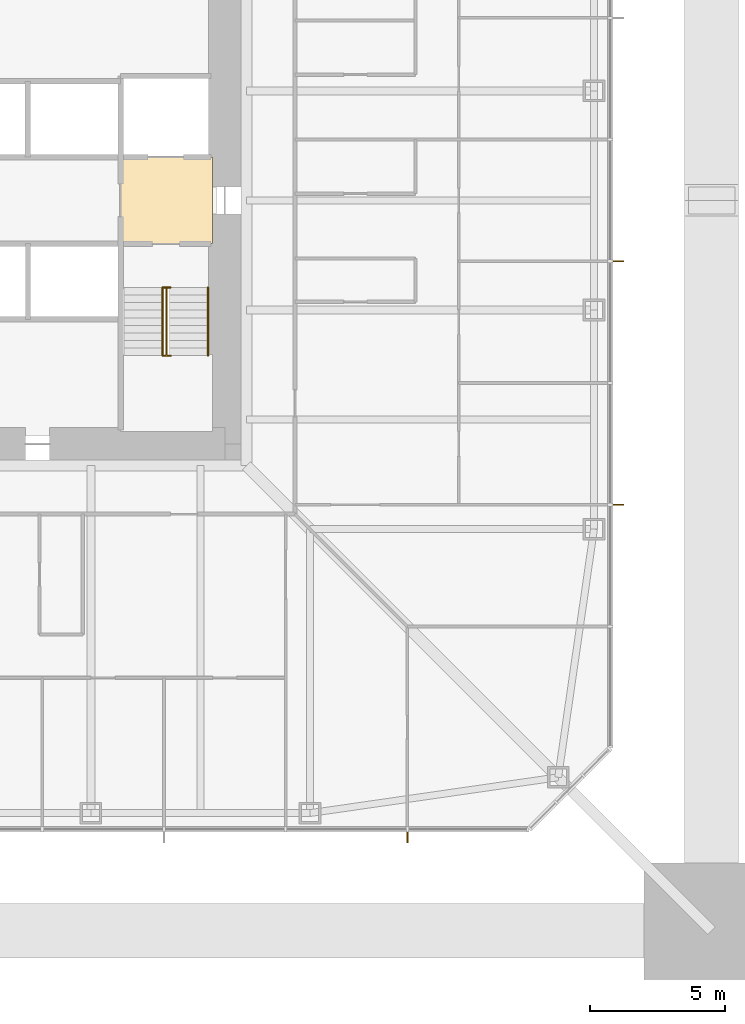
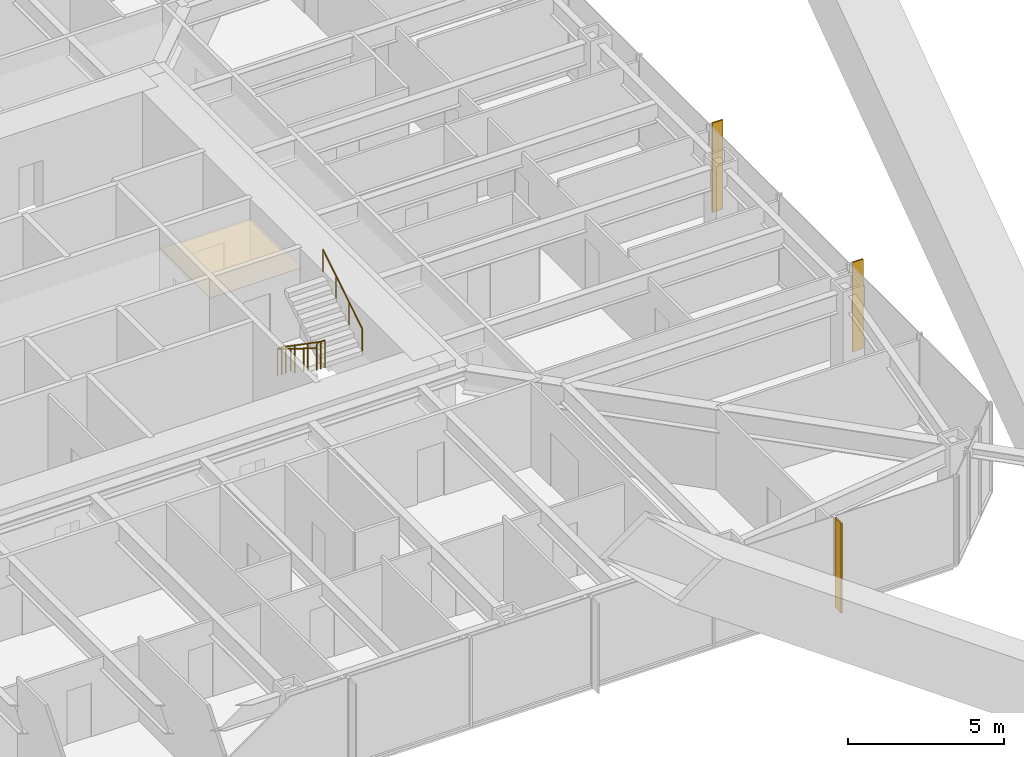
# One storey, part 26 of 28: 3 railings, 3 shading devices, 1 covering.
"""IFC4 building model written with IfcOpenShell, lengths in metres."""

from ifc_helpers import new_model, si_unit, direction, frame, origin, origin_2d, place, context, subcontext, project, spatial, polyline, rectangle, circle, outline, extrude, material, layer, layer_set, constituent, constituent_set, type_object, element, save


model = new_model("IFC4")

# Units and contexts
model_context = context("Model", 3, precision=1e-05, world=origin(), true_north=direction((0.0, 1.0)))
body_context = subcontext(model_context, "Body", "Model", "MODEL_VIEW")
ifc_project = project(units=[si_unit("LENGTHUNIT", "METRE"), si_unit("AREAUNIT", "SQUARE_METRE"), si_unit("VOLUMEUNIT", "CUBIC_METRE"), si_unit("PLANEANGLEUNIT", "RADIAN"), si_unit("MASSUNIT", "GRAM", prefix="KILO")], contexts=[model_context])

# Site, building, storey
site_placement = place(None, origin())
site = spatial("IfcSite", under=ifc_project, at=site_placement, CompositionType="ELEMENT")
building_placement = place(site_placement, origin())
building = spatial("IfcBuilding", under=site, at=building_placement, Name="Iwan Alto Co-Living Towers", CompositionType="ELEMENT")
storey_placement = place(building_placement, frame((0.0, 0.0, 43.0)))
storey = spatial("IfcBuildingStorey", under=building, at=storey_placement, Name="L11", CompositionType="ELEMENT", Elevation=43.0)

# Covering
ifc_material_1 = material(Name="Mineral fibre acoustic tiles on steel grid", Category="steel")
ifc_layer_1 = layer(ifc_material_1, 0.02001953125)
ifc_layer_set_1 = layer_set([ifc_layer_1], Name="ACOUSTIC TILE CEILING 20")
covering_type = type_object("IfcCoveringType", Name="ACOUSTIC TILE CEILING 20", PredefinedType="CEILING", material=ifc_layer_set_1)
covering_placement = place(storey_placement, frame((0.0, 0.0, 2.60009765625)))
element("IfcCovering", 1, at=covering_placement, inside=storey, type_object=covering_type, Name="Ceiling Firefighting lobby L11", PredefinedType="CEILING", context=body_context, shape_type="SweptSolid", body=[
    extrude(outline(polyline([(5.14990234375, -1.60009765625), (5.14990234375, 1.60009765625), (8.550048828125, 1.60009765625), (8.550048828125, -1.60009765625), (5.14990234375, -1.60009765625)])), origin(), (0.0, 0.0, 1.0), 0.02001953125),
])

# Shading devices
ifc_material_2 = material(Name="Aluminium 6063-T6 bronze anodised", Category="aluminium")
ifc_layer_2 = layer(ifc_material_2, 0.050048828125)
ifc_layer_set_2 = layer_set([ifc_layer_2], Name="BRONZE FIN 50X400")
shading_device_type = type_object("IfcShadingDeviceType", Name="BRONZE FIN 50X400", PredefinedType="USERDEFINED", material=ifc_layer_set_2)
for number, where, z_axis, x_axis, name in (
    (2, (15.75, -23.550048828125, 0.0), (0.0, 0.0, 1.0), (1.0, 0.0, 0.0), "Bronze fin L11"),
    (3, (23.550048828125, -11.25, 0.0), (0.0, 0.0, 1.0), (0.0, 1.0, 0.0), "Bronze fin L11"),
    (4, (23.550048828125, -2.25, 0.0), (0.0, 0.0, 1.0), (0.0, 1.0, 0.0), "Bronze fin L11"),
):
    element("IfcShadingDevice", number, at=place(storey_placement, frame(where, z_axis=z_axis, x_axis=x_axis)), inside=storey, type_object=shading_device_type, Name=name, ObjectType="LOUVER", PredefinedType="USERDEFINED", context=body_context, shape_type="SweptSolid", body=[
        extrude(rectangle(XDim=0.050048828125, YDim=0.39990234375, at=origin_2d()), origin(), (0.0, 0.0, 1.0), 3.5),
    ])

# Railings
ifc_material_3 = material(Name="Steel ASTM A500 Gr C", Category="steel")
ifc_constituent_1 = constituent(ifc_material_3, Name="Rails and posts", Category="Framing")
ifc_material_4 = material(Name="Steel ASTM A36", Category="steel")
ifc_constituent_2 = constituent(ifc_material_4, Name="Bar infill", Category="Infill")
ifc_constituent_set = constituent_set(constituents=[ifc_constituent_1, ifc_constituent_2], Name="STAIR GUARD 1100")
railing_type_1 = type_object("IfcRailingType", Name="STAIR GUARD 1100", PredefinedType="GUARDRAIL", material=ifc_constituent_set)
railing_1_placement = place(storey_placement, frame((6.85009765625, -3.219970703125, 0.0)))
element("IfcRailing", 5, at=railing_1_placement, inside=storey, type_object=railing_type_1, Name="Stair T1-S2 well guard L11", PredefinedType="GUARDRAIL", context=body_context, shape_type="SweptSolid", body=[
    extrude(circle(Radius=0.02392578125, at=origin_2d()), frame((0.0, 0.0, 1.076171875), z_axis=(0.0, -0.821372036852, 0.570392826987), x_axis=(1.0, 0.0, 0.0)), (0.0, 0.0, 1.0), 3.068115234375),
    extrude(circle(Radius=0.02392578125, at=origin_2d()), frame((-0.150146484375, 0.0, 1.076171875), z_axis=(1.0, 0.0, 0.0), x_axis=(0.0, 1.0, 0.0)), (0.0, 0.0, 1.0), 0.300048828125),
    extrude(circle(Radius=0.02392578125, at=origin_2d()), frame((-0.150146484375, -2.52001953125, 2.826171875), z_axis=(1.0, 0.0, 0.0), x_axis=(0.0, 1.0, 0.0)), (0.0, 0.0, 1.0), 0.300048828125),
    extrude(circle(Radius=0.02099609375, at=origin_2d()), origin(), (0.0, 0.0, 1.0), 1.052001953125),
    extrude(circle(Radius=0.02099609375, at=origin_2d()), frame((0.0, -0.840087890625, 0.583251953125)), (0.0, 0.0, 1.0), 1.052001953125),
    extrude(circle(Radius=0.02099609375, at=origin_2d()), frame((0.0, -1.679931640625, 1.166748046875)), (0.0, 0.0, 1.0), 1.052001953125),
    extrude(circle(Radius=0.02099609375, at=origin_2d()), frame((0.0, -2.52001953125, 1.75)), (0.0, 0.0, 1.0), 1.052001953125),
    extrude(circle(Radius=0.02099609375, at=origin_2d()), frame((-0.150146484375, 0.0, 0.0)), (0.0, 0.0, 1.0), 1.052001953125),
    extrude(circle(Radius=0.02099609375, at=origin_2d()), frame((0.14990234375, 0.0, 0.0)), (0.0, 0.0, 1.0), 1.052001953125),
    extrude(circle(Radius=0.02099609375, at=origin_2d()), frame((-0.150146484375, -2.52001953125, 1.75)), (0.0, 0.0, 1.0), 1.052001953125),
    extrude(circle(Radius=0.02099609375, at=origin_2d()), frame((0.14990234375, -2.52001953125, 1.75)), (0.0, 0.0, 1.0), 1.052001953125),
])
ifc_material_5 = material(Name="Steel ASTM A500 Gr C", Category="steel")
railing_type_2 = type_object("IfcRailingType", Name="STAIR HANDRAIL 900", PredefinedType="HANDRAIL", material=ifc_material_5)
railing_2_placement = place(storey_placement, frame((6.699951171875, -3.219970703125, 0.175048828125)))
element("IfcRailing", 6, at=railing_2_placement, inside=storey, type_object=railing_type_2, Name="Stair T1-S2 handrail 1 L11", PredefinedType="HANDRAIL", context=body_context, shape_type="SweptSolid", body=[
    extrude(circle(Radius=0.02392578125, at=origin_2d()), frame((0.0, 0.0, 0.8759765625), z_axis=(0.0, -0.848007534815, 0.529984170421), x_axis=(1.0, 0.0, 0.0)), (0.0, 0.0, 1.0), 2.9716796875),
    extrude(circle(Radius=0.02099609375, at=origin_2d()), origin(), (0.0, 0.0, 1.0), 0.851806640625),
    extrude(circle(Radius=0.02099609375, at=origin_2d()), frame((0.0, -0.840087890625, 0.52490234375)), (0.0, 0.0, 1.0), 0.851806640625),
    extrude(circle(Radius=0.02099609375, at=origin_2d()), frame((0.0, -1.679931640625, 1.050048828125)), (0.0, 0.0, 1.0), 0.851806640625),
    extrude(circle(Radius=0.02099609375, at=origin_2d()), frame((0.0, -2.52001953125, 1.574951171875)), (0.0, 0.0, 1.0), 0.851806640625),
])
railing_3_placement = place(storey_placement, frame((8.3798828125, -5.739990234375, 1.925048828125)))
element("IfcRailing", 7, at=railing_3_placement, inside=storey, type_object=railing_type_2, Name="Stair T1-S2 handrail 2 L11", PredefinedType="HANDRAIL", context=body_context, shape_type="SweptSolid", body=[
    extrude(circle(Radius=0.02392578125, at=origin_2d()), frame((0.0, 0.0, 0.8759765625), z_axis=(0.0, 0.848007534815, 0.529984170421), x_axis=(-1.0, 0.0, 0.0)), (0.0, 0.0, 1.0), 2.9716796875),
    extrude(circle(Radius=0.02099609375, at=origin_2d()), origin(), (0.0, 0.0, 1.0), 0.851806640625),
    extrude(circle(Radius=0.02099609375, at=origin_2d()), frame((0.0, 0.840087890625, 0.52490234375)), (0.0, 0.0, 1.0), 0.851806640625),
    extrude(circle(Radius=0.02099609375, at=origin_2d()), frame((0.0, 1.679931640625, 1.050048828125)), (0.0, 0.0, 1.0), 0.851806640625),
    extrude(circle(Radius=0.02099609375, at=origin_2d()), frame((0.0, 2.52001953125, 1.574951171875)), (0.0, 0.0, 1.0), 0.851806640625),
])

save(model, "model.ifc")
